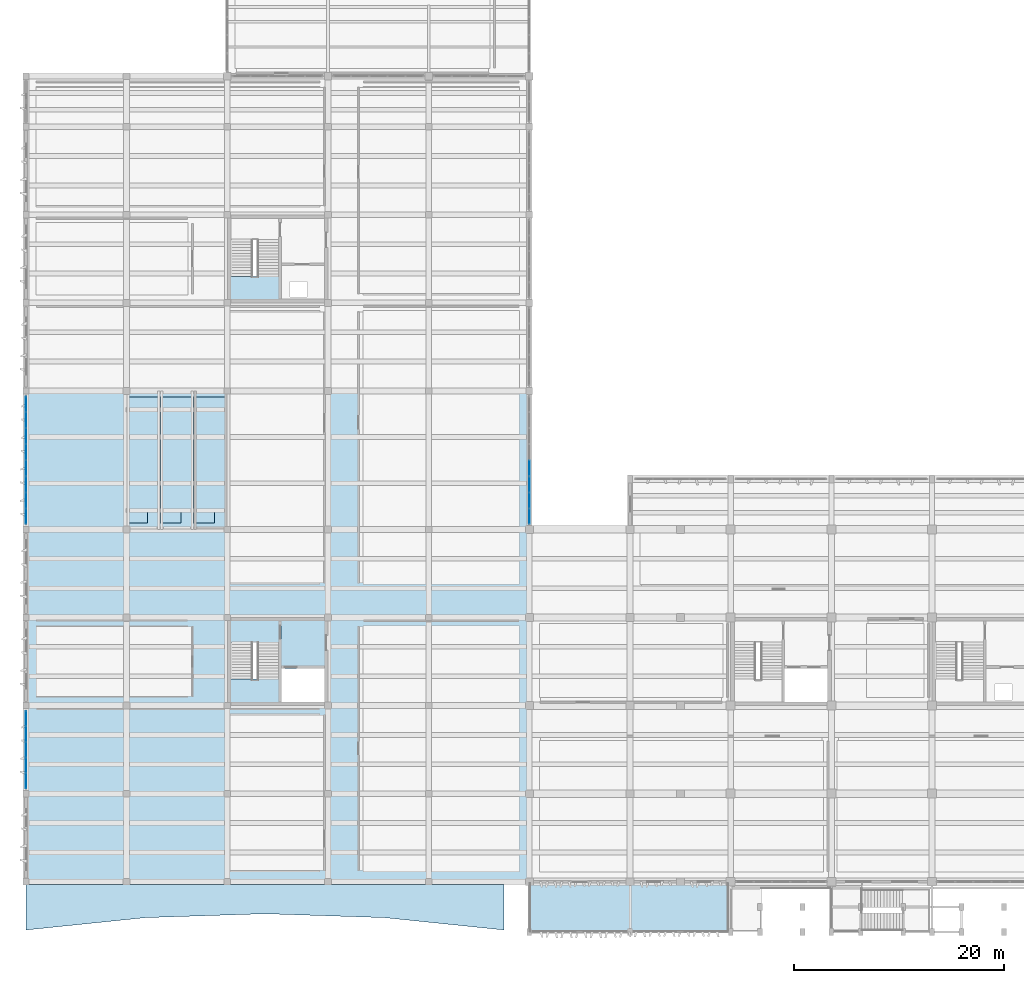
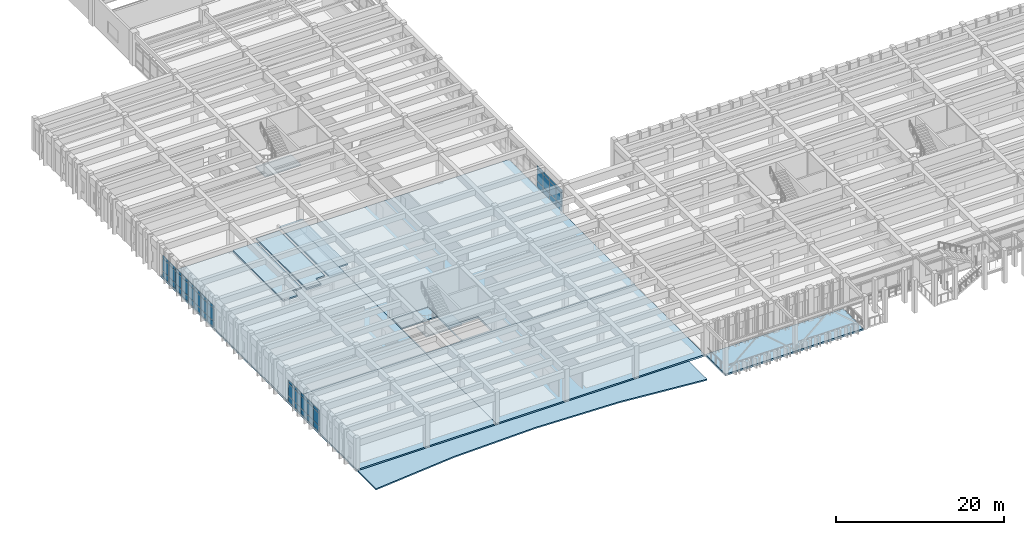
# One storey, part 45 of 86: 51 plates, 12 slabs, 5 elements without a shape of their own.
"""IFC4 building model written with IfcOpenShell, lengths in metres."""

from ifc_helpers import new_model, si_unit, direction, frame, origin, origin_2d, place, context, subcontext, project, spatial, polyline, rectangle, outline, extrude, material, layer, layer_set, type_object, element, aggregate, save


model = new_model("IFC4")

# Units and contexts
model_context = context("Model", 3, precision=1e-05, world=origin(), true_north=direction((0.0, 1.0)))
body_context = subcontext(model_context, "Body", "Model", "MODEL_VIEW")
ifc_project = project(units=[si_unit("LENGTHUNIT", "METRE"), si_unit("AREAUNIT", "SQUARE_METRE"), si_unit("VOLUMEUNIT", "CUBIC_METRE"), si_unit("PLANEANGLEUNIT", "RADIAN"), si_unit("MASSUNIT", "GRAM", prefix="KILO")], contexts=[model_context])

# Site, building, storey
site_placement = place(None, origin())
site = spatial("IfcSite", under=ifc_project, at=site_placement, CompositionType="ELEMENT")
building_placement = place(site_placement, origin())
building = spatial("IfcBuilding", under=site, at=building_placement, Name="Kolvemor Railside Polytechnic", CompositionType="ELEMENT")
storey_placement = place(building_placement, frame((0.0, 0.0, 5.39990234375)))
storey = spatial("IfcBuildingStorey", under=building, at=storey_placement, Name="L01", CompositionType="ELEMENT", Elevation=5.39990234375)

# Curtain wall, plates
ifc_material_1 = material(Name="Anodised marine aluminium and laminated low-E glass", Category="aluminium")
ifc_layer_1 = layer(ifc_material_1, 0.179931640625, Name="CW-UNIT-STD")
ifc_layer_set_1 = layer_set([ifc_layer_1], Name="Anodised marine aluminium and laminated low-E glass")
curtain_wall_type = type_object("IfcCurtainWallType", Name="CW-UNIT-STD", PredefinedType="USERDEFINED", material=ifc_layer_set_1)
curtain_wall_1_placement = place(storey_placement, origin())
curtain_wall_1 = element("IfcCurtainWall", 1, at=curtain_wall_1_placement, inside=storey, type_object=curtain_wall_type, Name="Curtain Wall L01-047", ObjectType="UNITISED CURTAIN WALL", PredefinedType="USERDEFINED")
ifc_material_2 = material(Name="Hurricane-laminated solar-control low-E glass", Category="glass")
ifc_layer_2 = layer(ifc_material_2, 0.02587890625, Name="CWP-GLZ-03")
ifc_layer_set_2 = layer_set([ifc_layer_2], Name="Hurricane-laminated solar-control low-E glass")
plate_type_1 = type_object("IfcPlateType", Name="CWP-GLZ-03", PredefinedType="CURTAIN_PANEL", material=ifc_layer_set_2)
plate_1_placement = place(storey_placement, frame((0.0, 20.36767578125, 0.06494140625), z_axis=(0.0, 0.0, 1.0), x_axis=(0.0, -1.0, 0.0)))
plate_1 = element("IfcPlate", 2, at=plate_1_placement, type_object=plate_type_1, Name="CW-STD panel 1.1", PredefinedType="CURTAIN_PANEL", context=body_context, shape_type="SweptSolid", body=[
    extrude(rectangle(XDim=1.39453125, YDim=0.02587890625, at=origin_2d()), origin(), (0.0, 0.0, 1.0), 0.802490234375),
])
plate_2_placement = place(storey_placement, frame((0.0, 20.36767578125, 0.9326171875), z_axis=(0.0, 0.0, 1.0), x_axis=(0.0, -1.0, 0.0)))
plate_2 = element("IfcPlate", 3, at=plate_2_placement, type_object=plate_type_1, Name="CW-STD panel 1.2", PredefinedType="CURTAIN_PANEL", context=body_context, shape_type="SweptSolid", body=[
    extrude(rectangle(XDim=1.39453125, YDim=0.02587890625, at=origin_2d()), origin(), (0.0, 0.0, 1.0), 1.764892578125),
])
plate_3_placement = place(storey_placement, frame((0.0, 20.36767578125, 2.7626953125), z_axis=(0.0, 0.0, 1.0), x_axis=(0.0, -1.0, 0.0)))
plate_3 = element("IfcPlate", 4, at=plate_3_placement, type_object=plate_type_1, Name="CW-STD panel 1.3", PredefinedType="CURTAIN_PANEL", context=body_context, shape_type="SweptSolid", body=[
    extrude(rectangle(XDim=1.39453125, YDim=0.02587890625, at=origin_2d()), origin(), (0.0, 0.0, 1.0), 0.452392578125),
])
plate_4_placement = place(storey_placement, frame((0.0, 18.89208984375, 0.06494140625), z_axis=(0.0, 0.0, 1.0), x_axis=(0.0, -1.0, 0.0)))
plate_4 = element("IfcPlate", 5, at=plate_4_placement, type_object=plate_type_1, Name="CW-STD panel 2.1", PredefinedType="CURTAIN_PANEL", context=body_context, shape_type="SweptSolid", body=[
    extrude(rectangle(XDim=1.427001953125, YDim=0.02587890625, at=origin_2d()), origin(), (0.0, 0.0, 1.0), 0.802490234375),
])
plate_5_placement = place(storey_placement, frame((0.0, 18.89208984375, 0.9326171875), z_axis=(0.0, 0.0, 1.0), x_axis=(0.0, -1.0, 0.0)))
plate_5 = element("IfcPlate", 6, at=plate_5_placement, type_object=plate_type_1, Name="CW-STD panel 2.2", PredefinedType="CURTAIN_PANEL", context=body_context, shape_type="SweptSolid", body=[
    extrude(rectangle(XDim=1.427001953125, YDim=0.02587890625, at=origin_2d()), origin(), (0.0, 0.0, 1.0), 1.764892578125),
])
plate_6_placement = place(storey_placement, frame((0.0, 18.89208984375, 2.7626953125), z_axis=(0.0, 0.0, 1.0), x_axis=(0.0, -1.0, 0.0)))
plate_6 = element("IfcPlate", 7, at=plate_6_placement, type_object=plate_type_1, Name="CW-STD panel 2.3", PredefinedType="CURTAIN_PANEL", context=body_context, shape_type="SweptSolid", body=[
    extrude(rectangle(XDim=1.427001953125, YDim=0.02587890625, at=origin_2d()), origin(), (0.0, 0.0, 1.0), 0.452392578125),
])
plate_7_placement = place(storey_placement, frame((0.0, 17.39990234375, 0.06494140625), z_axis=(0.0, 0.0, 1.0), x_axis=(0.0, -1.0, 0.0)))
plate_7 = element("IfcPlate", 8, at=plate_7_placement, type_object=plate_type_1, Name="CW-STD panel 3.1", PredefinedType="CURTAIN_PANEL", context=body_context, shape_type="SweptSolid", body=[
    extrude(rectangle(XDim=1.427001953125, YDim=0.02587890625, at=origin_2d()), origin(), (0.0, 0.0, 1.0), 0.802490234375),
])
plate_8_placement = place(storey_placement, frame((0.0, 17.39990234375, 0.9326171875), z_axis=(0.0, 0.0, 1.0), x_axis=(0.0, -1.0, 0.0)))
plate_8 = element("IfcPlate", 9, at=plate_8_placement, type_object=plate_type_1, Name="CW-STD panel 3.2", PredefinedType="CURTAIN_PANEL", context=body_context, shape_type="SweptSolid", body=[
    extrude(rectangle(XDim=1.427001953125, YDim=0.02587890625, at=origin_2d()), origin(), (0.0, 0.0, 1.0), 1.764892578125),
])
plate_9_placement = place(storey_placement, frame((0.0, 17.39990234375, 2.7626953125), z_axis=(0.0, 0.0, 1.0), x_axis=(0.0, -1.0, 0.0)))
plate_9 = element("IfcPlate", 10, at=plate_9_placement, type_object=plate_type_1, Name="CW-STD panel 3.3", PredefinedType="CURTAIN_PANEL", context=body_context, shape_type="SweptSolid", body=[
    extrude(rectangle(XDim=1.427001953125, YDim=0.02587890625, at=origin_2d()), origin(), (0.0, 0.0, 1.0), 0.452392578125),
])
plate_10_placement = place(storey_placement, frame((0.0, 15.907958984375, 0.06494140625), z_axis=(0.0, 0.0, 1.0), x_axis=(0.0, -1.0, 0.0)))
plate_10 = element("IfcPlate", 11, at=plate_10_placement, type_object=plate_type_1, Name="CW-STD panel 4.1", PredefinedType="CURTAIN_PANEL", context=body_context, shape_type="SweptSolid", body=[
    extrude(rectangle(XDim=1.427001953125, YDim=0.02587890625, at=origin_2d()), origin(), (0.0, 0.0, 1.0), 0.802490234375),
])
plate_11_placement = place(storey_placement, frame((0.0, 15.907958984375, 0.9326171875), z_axis=(0.0, 0.0, 1.0), x_axis=(0.0, -1.0, 0.0)))
plate_11 = element("IfcPlate", 12, at=plate_11_placement, type_object=plate_type_1, Name="CW-STD panel 4.2", PredefinedType="CURTAIN_PANEL", context=body_context, shape_type="SweptSolid", body=[
    extrude(rectangle(XDim=1.427001953125, YDim=0.02587890625, at=origin_2d()), origin(), (0.0, 0.0, 1.0), 1.764892578125),
])
plate_12_placement = place(storey_placement, frame((0.0, 15.907958984375, 2.7626953125), z_axis=(0.0, 0.0, 1.0), x_axis=(0.0, -1.0, 0.0)))
plate_12 = element("IfcPlate", 13, at=plate_12_placement, type_object=plate_type_1, Name="CW-STD panel 4.3", PredefinedType="CURTAIN_PANEL", context=body_context, shape_type="SweptSolid", body=[
    extrude(rectangle(XDim=1.427001953125, YDim=0.02587890625, at=origin_2d()), origin(), (0.0, 0.0, 1.0), 0.452392578125),
])
plate_13_placement = place(storey_placement, frame((0.0, 14.43212890625, 0.06494140625), z_axis=(0.0, 0.0, 1.0), x_axis=(0.0, -1.0, 0.0)))
plate_13 = element("IfcPlate", 14, at=plate_13_placement, type_object=plate_type_1, Name="CW-STD panel 5.1", PredefinedType="CURTAIN_PANEL", context=body_context, shape_type="SweptSolid", body=[
    extrude(rectangle(XDim=1.39453125, YDim=0.02587890625, at=origin_2d()), origin(), (0.0, 0.0, 1.0), 0.802490234375),
])
plate_14_placement = place(storey_placement, frame((0.0, 14.43212890625, 0.9326171875), z_axis=(0.0, 0.0, 1.0), x_axis=(0.0, -1.0, 0.0)))
plate_14 = element("IfcPlate", 15, at=plate_14_placement, type_object=plate_type_1, Name="CW-STD panel 5.2", PredefinedType="CURTAIN_PANEL", context=body_context, shape_type="SweptSolid", body=[
    extrude(rectangle(XDim=1.39453125, YDim=0.02587890625, at=origin_2d()), origin(), (0.0, 0.0, 1.0), 1.764892578125),
])
plate_15_placement = place(storey_placement, frame((0.0, 14.43212890625, 2.7626953125), z_axis=(0.0, 0.0, 1.0), x_axis=(0.0, -1.0, 0.0)))
plate_15 = element("IfcPlate", 16, at=plate_15_placement, type_object=plate_type_1, Name="CW-STD panel 5.3", PredefinedType="CURTAIN_PANEL", context=body_context, shape_type="SweptSolid", body=[
    extrude(rectangle(XDim=1.39453125, YDim=0.02587890625, at=origin_2d()), origin(), (0.0, 0.0, 1.0), 0.452392578125),
])
aggregate(curtain_wall_1, [plate_1, plate_2, plate_3, plate_4, plate_5, plate_6, plate_7, plate_8, plate_9, plate_10, plate_11, plate_12, plate_13, plate_14, plate_15])

curtain_wall_2_placement = place(storey_placement, origin())
curtain_wall_2 = element("IfcCurtainWall", 17, at=curtain_wall_2_placement, inside=storey, type_object=curtain_wall_type, Name="Curtain Wall L01-053", ObjectType="UNITISED CURTAIN WALL", PredefinedType="USERDEFINED")
ifc_material_3 = material(Name="Hurricane-laminated solar-control low-E glass", Category="glass")
ifc_layer_3 = layer(ifc_material_3, 0.031982421875, Name="CWP-GLZ-06")
ifc_layer_set_3 = layer_set([ifc_layer_3], Name="Hurricane-laminated solar-control low-E glass")
plate_type_2 = type_object("IfcPlateType", Name="CWP-GLZ-06", PredefinedType="CURTAIN_PANEL", material=ifc_layer_set_3)
plate_16_placement = place(storey_placement, frame((0.0, 50.347412109375, 0.06494140625), z_axis=(0.0, 0.0, 1.0), x_axis=(0.0, -1.0, 0.0)))
plate_16 = element("IfcPlate", 18, at=plate_16_placement, type_object=plate_type_2, Name="CW-STD panel 1.1", PredefinedType="CURTAIN_PANEL", context=body_context, shape_type="SweptSolid", body=[
    extrude(rectangle(XDim=1.43505859375, YDim=0.031982421875, at=origin_2d()), origin(), (0.0, 0.0, 1.0), 0.802490234375),
])
plate_17_placement = place(storey_placement, frame((0.0, 50.347412109375, 0.9326171875), z_axis=(0.0, 0.0, 1.0), x_axis=(0.0, -1.0, 0.0)))
plate_17 = element("IfcPlate", 19, at=plate_17_placement, type_object=plate_type_2, Name="CW-STD panel 1.2", PredefinedType="CURTAIN_PANEL", context=body_context, shape_type="SweptSolid", body=[
    extrude(rectangle(XDim=1.43505859375, YDim=0.031982421875, at=origin_2d()), origin(), (0.0, 0.0, 1.0), 1.764892578125),
])
plate_18_placement = place(storey_placement, frame((0.0, 50.347412109375, 2.7626953125), z_axis=(0.0, 0.0, 1.0), x_axis=(0.0, -1.0, 0.0)))
plate_18 = element("IfcPlate", 20, at=plate_18_placement, type_object=plate_type_2, Name="CW-STD panel 1.3", PredefinedType="CURTAIN_PANEL", context=body_context, shape_type="SweptSolid", body=[
    extrude(rectangle(XDim=1.43505859375, YDim=0.031982421875, at=origin_2d()), origin(), (0.0, 0.0, 1.0), 0.452392578125),
])
plate_19_placement = place(storey_placement, frame((0.0, 48.831298828125, 0.06494140625), z_axis=(0.0, 0.0, 1.0), x_axis=(0.0, -1.0, 0.0)))
plate_19 = element("IfcPlate", 21, at=plate_19_placement, type_object=plate_type_2, Name="CW-STD panel 2.1", PredefinedType="CURTAIN_PANEL", context=body_context, shape_type="SweptSolid", body=[
    extrude(rectangle(XDim=1.467529296875, YDim=0.031982421875, at=origin_2d()), origin(), (0.0, 0.0, 1.0), 0.802490234375),
])
plate_20_placement = place(storey_placement, frame((0.0, 48.831298828125, 0.9326171875), z_axis=(0.0, 0.0, 1.0), x_axis=(0.0, -1.0, 0.0)))
plate_20 = element("IfcPlate", 22, at=plate_20_placement, type_object=plate_type_2, Name="CW-STD panel 2.2", PredefinedType="CURTAIN_PANEL", context=body_context, shape_type="SweptSolid", body=[
    extrude(rectangle(XDim=1.467529296875, YDim=0.031982421875, at=origin_2d()), origin(), (0.0, 0.0, 1.0), 1.764892578125),
])
plate_21_placement = place(storey_placement, frame((0.0, 48.831298828125, 2.7626953125), z_axis=(0.0, 0.0, 1.0), x_axis=(0.0, -1.0, 0.0)))
plate_21 = element("IfcPlate", 23, at=plate_21_placement, type_object=plate_type_2, Name="CW-STD panel 2.3", PredefinedType="CURTAIN_PANEL", context=body_context, shape_type="SweptSolid", body=[
    extrude(rectangle(XDim=1.467529296875, YDim=0.031982421875, at=origin_2d()), origin(), (0.0, 0.0, 1.0), 0.452392578125),
])
plate_22_placement = place(storey_placement, frame((0.0, 47.298828125, 0.06494140625), z_axis=(0.0, 0.0, 1.0), x_axis=(0.0, -1.0, 0.0)))
plate_22 = element("IfcPlate", 24, at=plate_22_placement, type_object=plate_type_2, Name="CW-STD panel 3.1", PredefinedType="CURTAIN_PANEL", context=body_context, shape_type="SweptSolid", body=[
    extrude(rectangle(XDim=1.467529296875, YDim=0.031982421875, at=origin_2d()), origin(), (0.0, 0.0, 1.0), 0.802490234375),
])
plate_23_placement = place(storey_placement, frame((0.0, 47.298828125, 0.9326171875), z_axis=(0.0, 0.0, 1.0), x_axis=(0.0, -1.0, 0.0)))
plate_23 = element("IfcPlate", 25, at=plate_23_placement, type_object=plate_type_2, Name="CW-STD panel 3.2", PredefinedType="CURTAIN_PANEL", context=body_context, shape_type="SweptSolid", body=[
    extrude(rectangle(XDim=1.467529296875, YDim=0.031982421875, at=origin_2d()), origin(), (0.0, 0.0, 1.0), 1.764892578125),
])
plate_24_placement = place(storey_placement, frame((0.0, 47.298828125, 2.7626953125), z_axis=(0.0, 0.0, 1.0), x_axis=(0.0, -1.0, 0.0)))
plate_24 = element("IfcPlate", 26, at=plate_24_placement, type_object=plate_type_2, Name="CW-STD panel 3.3", PredefinedType="CURTAIN_PANEL", context=body_context, shape_type="SweptSolid", body=[
    extrude(rectangle(XDim=1.467529296875, YDim=0.031982421875, at=origin_2d()), origin(), (0.0, 0.0, 1.0), 0.452392578125),
])
plate_25_placement = place(storey_placement, frame((0.0, 45.766357421875, 0.06494140625), z_axis=(0.0, 0.0, 1.0), x_axis=(0.0, -1.0, 0.0)))
plate_25 = element("IfcPlate", 27, at=plate_25_placement, type_object=plate_type_2, Name="CW-STD panel 4.1", PredefinedType="CURTAIN_PANEL", context=body_context, shape_type="SweptSolid", body=[
    extrude(rectangle(XDim=1.467529296875, YDim=0.031982421875, at=origin_2d()), origin(), (0.0, 0.0, 1.0), 0.802490234375),
])
plate_26_placement = place(storey_placement, frame((0.0, 45.766357421875, 0.9326171875), z_axis=(0.0, 0.0, 1.0), x_axis=(0.0, -1.0, 0.0)))
plate_26 = element("IfcPlate", 28, at=plate_26_placement, type_object=plate_type_2, Name="CW-STD panel 4.2", PredefinedType="CURTAIN_PANEL", context=body_context, shape_type="SweptSolid", body=[
    extrude(rectangle(XDim=1.467529296875, YDim=0.031982421875, at=origin_2d()), origin(), (0.0, 0.0, 1.0), 1.764892578125),
])
plate_27_placement = place(storey_placement, frame((0.0, 45.766357421875, 2.7626953125), z_axis=(0.0, 0.0, 1.0), x_axis=(0.0, -1.0, 0.0)))
plate_27 = element("IfcPlate", 29, at=plate_27_placement, type_object=plate_type_2, Name="CW-STD panel 4.3", PredefinedType="CURTAIN_PANEL", context=body_context, shape_type="SweptSolid", body=[
    extrude(rectangle(XDim=1.467529296875, YDim=0.031982421875, at=origin_2d()), origin(), (0.0, 0.0, 1.0), 0.452392578125),
])
plate_28_placement = place(storey_placement, frame((0.0, 44.233642578125, 0.06494140625), z_axis=(0.0, 0.0, 1.0), x_axis=(0.0, -1.0, 0.0)))
plate_28 = element("IfcPlate", 30, at=plate_28_placement, type_object=plate_type_2, Name="CW-STD panel 5.1", PredefinedType="CURTAIN_PANEL", context=body_context, shape_type="SweptSolid", body=[
    extrude(rectangle(XDim=1.467529296875, YDim=0.031982421875, at=origin_2d()), origin(), (0.0, 0.0, 1.0), 0.802490234375),
])
plate_29_placement = place(storey_placement, frame((0.0, 44.233642578125, 0.9326171875), z_axis=(0.0, 0.0, 1.0), x_axis=(0.0, -1.0, 0.0)))
plate_29 = element("IfcPlate", 31, at=plate_29_placement, type_object=plate_type_2, Name="CW-STD panel 5.2", PredefinedType="CURTAIN_PANEL", context=body_context, shape_type="SweptSolid", body=[
    extrude(rectangle(XDim=1.467529296875, YDim=0.031982421875, at=origin_2d()), origin(), (0.0, 0.0, 1.0), 1.764892578125),
])
plate_30_placement = place(storey_placement, frame((0.0, 44.233642578125, 2.7626953125), z_axis=(0.0, 0.0, 1.0), x_axis=(0.0, -1.0, 0.0)))
plate_30 = element("IfcPlate", 32, at=plate_30_placement, type_object=plate_type_2, Name="CW-STD panel 5.3", PredefinedType="CURTAIN_PANEL", context=body_context, shape_type="SweptSolid", body=[
    extrude(rectangle(XDim=1.467529296875, YDim=0.031982421875, at=origin_2d()), origin(), (0.0, 0.0, 1.0), 0.452392578125),
])
plate_31_placement = place(storey_placement, frame((0.0, 42.701171875, 0.06494140625), z_axis=(0.0, 0.0, 1.0), x_axis=(0.0, -1.0, 0.0)))
plate_31 = element("IfcPlate", 33, at=plate_31_placement, type_object=plate_type_2, Name="CW-STD panel 6.1", PredefinedType="CURTAIN_PANEL", context=body_context, shape_type="SweptSolid", body=[
    extrude(rectangle(XDim=1.467529296875, YDim=0.031982421875, at=origin_2d()), origin(), (0.0, 0.0, 1.0), 0.802490234375),
])
plate_32_placement = place(storey_placement, frame((0.0, 42.701171875, 0.9326171875), z_axis=(0.0, 0.0, 1.0), x_axis=(0.0, -1.0, 0.0)))
plate_32 = element("IfcPlate", 34, at=plate_32_placement, type_object=plate_type_2, Name="CW-STD panel 6.2", PredefinedType="CURTAIN_PANEL", context=body_context, shape_type="SweptSolid", body=[
    extrude(rectangle(XDim=1.467529296875, YDim=0.031982421875, at=origin_2d()), origin(), (0.0, 0.0, 1.0), 1.764892578125),
])
plate_33_placement = place(storey_placement, frame((0.0, 42.701171875, 2.7626953125), z_axis=(0.0, 0.0, 1.0), x_axis=(0.0, -1.0, 0.0)))
plate_33 = element("IfcPlate", 35, at=plate_33_placement, type_object=plate_type_2, Name="CW-STD panel 6.3", PredefinedType="CURTAIN_PANEL", context=body_context, shape_type="SweptSolid", body=[
    extrude(rectangle(XDim=1.467529296875, YDim=0.031982421875, at=origin_2d()), origin(), (0.0, 0.0, 1.0), 0.452392578125),
])
plate_34_placement = place(storey_placement, frame((0.0, 41.168701171875, 0.06494140625), z_axis=(0.0, 0.0, 1.0), x_axis=(0.0, -1.0, 0.0)))
plate_34 = element("IfcPlate", 36, at=plate_34_placement, type_object=plate_type_2, Name="CW-STD panel 7.1", PredefinedType="CURTAIN_PANEL", context=body_context, shape_type="SweptSolid", body=[
    extrude(rectangle(XDim=1.467529296875, YDim=0.031982421875, at=origin_2d()), origin(), (0.0, 0.0, 1.0), 0.802490234375),
])
plate_35_placement = place(storey_placement, frame((0.0, 41.168701171875, 0.9326171875), z_axis=(0.0, 0.0, 1.0), x_axis=(0.0, -1.0, 0.0)))
plate_35 = element("IfcPlate", 37, at=plate_35_placement, type_object=plate_type_2, Name="CW-STD panel 7.2", PredefinedType="CURTAIN_PANEL", context=body_context, shape_type="SweptSolid", body=[
    extrude(rectangle(XDim=1.467529296875, YDim=0.031982421875, at=origin_2d()), origin(), (0.0, 0.0, 1.0), 1.764892578125),
])
plate_36_placement = place(storey_placement, frame((0.0, 41.168701171875, 2.7626953125), z_axis=(0.0, 0.0, 1.0), x_axis=(0.0, -1.0, 0.0)))
plate_36 = element("IfcPlate", 38, at=plate_36_placement, type_object=plate_type_2, Name="CW-STD panel 7.3", PredefinedType="CURTAIN_PANEL", context=body_context, shape_type="SweptSolid", body=[
    extrude(rectangle(XDim=1.467529296875, YDim=0.031982421875, at=origin_2d()), origin(), (0.0, 0.0, 1.0), 0.452392578125),
])
plate_37_placement = place(storey_placement, frame((0.0, 39.652587890625, 0.06494140625), z_axis=(0.0, 0.0, 1.0), x_axis=(0.0, -1.0, 0.0)))
plate_37 = element("IfcPlate", 39, at=plate_37_placement, type_object=plate_type_2, Name="CW-STD panel 8.1", PredefinedType="CURTAIN_PANEL", context=body_context, shape_type="SweptSolid", body=[
    extrude(rectangle(XDim=1.43505859375, YDim=0.031982421875, at=origin_2d()), origin(), (0.0, 0.0, 1.0), 0.802490234375),
])
plate_38_placement = place(storey_placement, frame((0.0, 39.652587890625, 0.9326171875), z_axis=(0.0, 0.0, 1.0), x_axis=(0.0, -1.0, 0.0)))
plate_38 = element("IfcPlate", 40, at=plate_38_placement, type_object=plate_type_2, Name="CW-STD panel 8.2", PredefinedType="CURTAIN_PANEL", context=body_context, shape_type="SweptSolid", body=[
    extrude(rectangle(XDim=1.43505859375, YDim=0.031982421875, at=origin_2d()), origin(), (0.0, 0.0, 1.0), 1.764892578125),
])
plate_39_placement = place(storey_placement, frame((0.0, 39.652587890625, 2.7626953125), z_axis=(0.0, 0.0, 1.0), x_axis=(0.0, -1.0, 0.0)))
plate_39 = element("IfcPlate", 41, at=plate_39_placement, type_object=plate_type_2, Name="CW-STD panel 8.3", PredefinedType="CURTAIN_PANEL", context=body_context, shape_type="SweptSolid", body=[
    extrude(rectangle(XDim=1.43505859375, YDim=0.031982421875, at=origin_2d()), origin(), (0.0, 0.0, 1.0), 0.452392578125),
])
aggregate(curtain_wall_2, [plate_16, plate_17, plate_18, plate_19, plate_20, plate_21, plate_22, plate_23, plate_24, plate_25, plate_26, plate_27, plate_28, plate_29, plate_30, plate_31, plate_32, plate_33, plate_34, plate_35, plate_36, plate_37, plate_38, plate_39])

curtain_wall_3_placement = place(storey_placement, origin())
curtain_wall_3 = element("IfcCurtainWall", 42, at=curtain_wall_3_placement, inside=storey, type_object=curtain_wall_type, Name="Curtain Wall L01-056", ObjectType="UNITISED CURTAIN WALL", PredefinedType="USERDEFINED")
ifc_material_4 = material(Name="Hurricane-laminated solar-control low-E glass", Category="glass")
ifc_layer_4 = layer(ifc_material_4, 0.035888671875, Name="CWP-GLZ-08")
ifc_layer_set_4 = layer_set([ifc_layer_4], Name="Hurricane-laminated solar-control low-E glass")
plate_type_3 = type_object("IfcPlateType", Name="CWP-GLZ-08", PredefinedType="CURTAIN_PANEL", material=ifc_layer_set_4)
plate_40_placement = place(storey_placement, frame((48.0, 39.652587890625, 0.06494140625), z_axis=(0.0, 0.0, 1.0), x_axis=(0.0, 1.0, 0.0)))
plate_40 = element("IfcPlate", 43, at=plate_40_placement, type_object=plate_type_3, Name="CW-STD panel 1.1", PredefinedType="CURTAIN_PANEL", context=body_context, shape_type="SweptSolid", body=[
    extrude(rectangle(XDim=1.43505859375, YDim=0.035888671875, at=origin_2d()), origin(), (0.0, 0.0, 1.0), 0.802490234375),
])
plate_41_placement = place(storey_placement, frame((48.0, 39.652587890625, 0.9326171875), z_axis=(0.0, 0.0, 1.0), x_axis=(0.0, 1.0, 0.0)))
plate_41 = element("IfcPlate", 44, at=plate_41_placement, type_object=plate_type_3, Name="CW-STD panel 1.2", PredefinedType="CURTAIN_PANEL", context=body_context, shape_type="SweptSolid", body=[
    extrude(rectangle(XDim=1.43505859375, YDim=0.035888671875, at=origin_2d()), origin(), (0.0, 0.0, 1.0), 1.764892578125),
])
plate_42_placement = place(storey_placement, frame((48.0, 39.652587890625, 2.7626953125), z_axis=(0.0, 0.0, 1.0), x_axis=(0.0, 1.0, 0.0)))
plate_42 = element("IfcPlate", 45, at=plate_42_placement, type_object=plate_type_3, Name="CW-STD panel 1.3", PredefinedType="CURTAIN_PANEL", context=body_context, shape_type="SweptSolid", body=[
    extrude(rectangle(XDim=1.43505859375, YDim=0.035888671875, at=origin_2d()), origin(), (0.0, 0.0, 1.0), 0.452392578125),
])
plate_43_placement = place(storey_placement, frame((48.0, 41.168701171875, 0.06494140625), z_axis=(0.0, 0.0, 1.0), x_axis=(0.0, 1.0, 0.0)))
plate_43 = element("IfcPlate", 46, at=plate_43_placement, type_object=plate_type_3, Name="CW-STD panel 2.1", PredefinedType="CURTAIN_PANEL", context=body_context, shape_type="SweptSolid", body=[
    extrude(rectangle(XDim=1.467529296875, YDim=0.035888671875, at=origin_2d()), origin(), (0.0, 0.0, 1.0), 0.802490234375),
])
plate_44_placement = place(storey_placement, frame((48.0, 41.168701171875, 0.9326171875), z_axis=(0.0, 0.0, 1.0), x_axis=(0.0, 1.0, 0.0)))
plate_44 = element("IfcPlate", 47, at=plate_44_placement, type_object=plate_type_3, Name="CW-STD panel 2.2", PredefinedType="CURTAIN_PANEL", context=body_context, shape_type="SweptSolid", body=[
    extrude(rectangle(XDim=1.467529296875, YDim=0.035888671875, at=origin_2d()), origin(), (0.0, 0.0, 1.0), 1.764892578125),
])
plate_45_placement = place(storey_placement, frame((48.0, 41.168701171875, 2.7626953125), z_axis=(0.0, 0.0, 1.0), x_axis=(0.0, 1.0, 0.0)))
plate_45 = element("IfcPlate", 48, at=plate_45_placement, type_object=plate_type_3, Name="CW-STD panel 2.3", PredefinedType="CURTAIN_PANEL", context=body_context, shape_type="SweptSolid", body=[
    extrude(rectangle(XDim=1.467529296875, YDim=0.035888671875, at=origin_2d()), origin(), (0.0, 0.0, 1.0), 0.452392578125),
])
plate_46_placement = place(storey_placement, frame((48.0, 42.701171875, 0.06494140625), z_axis=(0.0, 0.0, 1.0), x_axis=(0.0, 1.0, 0.0)))
plate_46 = element("IfcPlate", 49, at=plate_46_placement, type_object=plate_type_3, Name="CW-STD panel 3.1", PredefinedType="CURTAIN_PANEL", context=body_context, shape_type="SweptSolid", body=[
    extrude(rectangle(XDim=1.467529296875, YDim=0.035888671875, at=origin_2d()), origin(), (0.0, 0.0, 1.0), 0.802490234375),
])
plate_47_placement = place(storey_placement, frame((48.0, 42.701171875, 0.9326171875), z_axis=(0.0, 0.0, 1.0), x_axis=(0.0, 1.0, 0.0)))
plate_47 = element("IfcPlate", 50, at=plate_47_placement, type_object=plate_type_3, Name="CW-STD panel 3.2", PredefinedType="CURTAIN_PANEL", context=body_context, shape_type="SweptSolid", body=[
    extrude(rectangle(XDim=1.467529296875, YDim=0.035888671875, at=origin_2d()), origin(), (0.0, 0.0, 1.0), 1.764892578125),
])
plate_48_placement = place(storey_placement, frame((48.0, 42.701171875, 2.7626953125), z_axis=(0.0, 0.0, 1.0), x_axis=(0.0, 1.0, 0.0)))
plate_48 = element("IfcPlate", 51, at=plate_48_placement, type_object=plate_type_3, Name="CW-STD panel 3.3", PredefinedType="CURTAIN_PANEL", context=body_context, shape_type="SweptSolid", body=[
    extrude(rectangle(XDim=1.467529296875, YDim=0.035888671875, at=origin_2d()), origin(), (0.0, 0.0, 1.0), 0.452392578125),
])
plate_49_placement = place(storey_placement, frame((48.0, 44.233642578125, 0.06494140625), z_axis=(0.0, 0.0, 1.0), x_axis=(0.0, 1.0, 0.0)))
plate_49 = element("IfcPlate", 52, at=plate_49_placement, type_object=plate_type_3, Name="CW-STD panel 4.1", PredefinedType="CURTAIN_PANEL", context=body_context, shape_type="SweptSolid", body=[
    extrude(rectangle(XDim=1.467529296875, YDim=0.035888671875, at=origin_2d()), origin(), (0.0, 0.0, 1.0), 0.802490234375),
])
plate_50_placement = place(storey_placement, frame((48.0, 44.233642578125, 0.9326171875), z_axis=(0.0, 0.0, 1.0), x_axis=(0.0, 1.0, 0.0)))
plate_50 = element("IfcPlate", 53, at=plate_50_placement, type_object=plate_type_3, Name="CW-STD panel 4.2", PredefinedType="CURTAIN_PANEL", context=body_context, shape_type="SweptSolid", body=[
    extrude(rectangle(XDim=1.467529296875, YDim=0.035888671875, at=origin_2d()), origin(), (0.0, 0.0, 1.0), 1.764892578125),
])
plate_51_placement = place(storey_placement, frame((48.0, 44.233642578125, 2.7626953125), z_axis=(0.0, 0.0, 1.0), x_axis=(0.0, 1.0, 0.0)))
plate_51 = element("IfcPlate", 54, at=plate_51_placement, type_object=plate_type_3, Name="CW-STD panel 4.3", PredefinedType="CURTAIN_PANEL", context=body_context, shape_type="SweptSolid", body=[
    extrude(rectangle(XDim=1.467529296875, YDim=0.035888671875, at=origin_2d()), origin(), (0.0, 0.0, 1.0), 0.452392578125),
])
aggregate(curtain_wall_3, [plate_40, plate_41, plate_42, plate_43, plate_44, plate_45, plate_46, plate_47, plate_48, plate_49, plate_50, plate_51])

# Slabs
ifc_material_5 = material(Name="Concrete C40/50", Category="concrete")
ifc_layer_5 = layer(ifc_material_5, 0.18994140625, Name="SLB-CAN-190")
ifc_layer_set_5 = layer_set([ifc_layer_5], Name="Concrete C40/50")
slab_type_1 = type_object("IfcSlabType", Name="SLB-CAN-190", PredefinedType="ROOF", material=ifc_layer_set_5)
slab_1_placement = place(storey_placement, frame((0.0, 0.0, -0.18994140625)))
element("IfcSlab", 55, at=slab_1_placement, inside=storey, type_object=slab_type_1, Name="Parametric Curved Entrance Canopy W", PredefinedType="ROOF", context=body_context, shape_type="SweptSolid", body=[
    extrude(outline(polyline([(0.0, 0.198974609375), (11.39990234375, 1.376953125), (22.800048828125, 1.75), (34.199951171875, 1.376953125), (45.60009765625, 0.198974609375), (45.60009765625, 4.550048828125), (0.0, 4.550048828125), (0.0, 0.198974609375)])), origin(), (0.0, 0.0, 1.0), 0.18994140625),
])
ifc_material_6 = material(Name="Concrete C40/50", Category="concrete")
ifc_layer_6 = layer(ifc_material_6, 0.199951171875, Name="SLB-LND-200")
ifc_layer_set_6 = layer_set([ifc_layer_6], Name="Concrete C40/50")
slab_type_2 = type_object("IfcSlabType", Name="SLB-LND-200", PredefinedType="LANDING", material=ifc_layer_set_6)
slab_2_placement = place(storey_placement, frame((0.0, 0.0, -0.199951171875)))
element("IfcSlab", 56, at=slab_2_placement, inside=storey, type_object=slab_type_2, Name="ST-4 Floor Landing L01", PredefinedType="LANDING", context=body_context, shape_type="SweptSolid", body=[
    extrude(outline(polyline([(19.360107421875, 27.60009765625), (24.2900390625, 27.60009765625), (24.2900390625, 29.840087890625), (19.360107421875, 29.840087890625), (19.360107421875, 27.60009765625)])), origin(), (0.0, 0.0, 1.0), 0.199951171875),
])

# Stair, slab
ifc_material_7 = material(Name="Concrete C40/50", Category="concrete")
stair_type = type_object("IfcStairType", Name="STR-CORE-480", PredefinedType="HALF_TURN_STAIR", material=ifc_material_7)
stair_1_placement = place(storey_placement, origin())
stair_1 = element("IfcStair", 57, at=stair_1_placement, inside=storey, type_object=stair_type, Name="Core Stair ST-4 (L01 to L02)", PredefinedType="HALF_TURN_STAIR")
slab_3_placement = place(storey_placement, frame((0.0, 0.0, 2.2001953125)))
slab_3 = element("IfcSlab", 58, at=slab_3_placement, type_object=slab_type_2, Name="ST-4-L01 landing 1", PredefinedType="LANDING", context=body_context, shape_type="SweptSolid", body=[
    extrude(outline(polyline([(19.35009765625, 21.75), (24.300048828125, 21.75), (24.300048828125, 24.125), (19.35009765625, 24.125), (19.35009765625, 21.75)])), origin(), (0.0, 0.0, 1.0), 0.199951171875),
])
aggregate(stair_1, [slab_3])

stair_2_placement = place(storey_placement, origin())
stair_2 = element("IfcStair", 59, at=stair_2_placement, inside=storey, type_object=stair_type, Name="Core Stair ST-5 (L01 to L02)", PredefinedType="HALF_TURN_STAIR")
slab_4_placement = place(storey_placement, frame((0.0, 0.0, 2.2001953125)))
slab_4 = element("IfcSlab", 60, at=slab_4_placement, type_object=slab_type_2, Name="ST-5-L01 landing 1", PredefinedType="LANDING", context=body_context, shape_type="SweptSolid", body=[
    extrude(outline(polyline([(19.35009765625, 60.14990234375), (24.300048828125, 60.14990234375), (24.300048828125, 62.52490234375), (19.35009765625, 62.52490234375), (19.35009765625, 60.14990234375)])), origin(), (0.0, 0.0, 1.0), 0.199951171875),
])
aggregate(stair_2, [slab_4])

# Slabs
ifc_material_8 = material(Name="Concrete C40/50", Category="concrete")
ifc_layer_7 = layer(ifc_material_8, 0.280029296875, Name="SLB-POD-L01")
ifc_layer_set_7 = layer_set([ifc_layer_7], Name="Concrete C40/50")
slab_type_3 = type_object("IfcSlabType", Name="SLB-POD-L01", PredefinedType="FLOOR", material=ifc_layer_set_7)
slab_5_placement = place(storey_placement, frame((0.0, 0.0, -0.27978515625)))
element("IfcSlab", 61, at=slab_5_placement, inside=storey, type_object=slab_type_3, Name="Lecture Wing L01 Slab L01-45", PredefinedType="FLOOR", context=body_context, shape_type="SweptSolid", body=[
    extrude(outline(polyline([(0.0, 4.800048828125), (19.199951171875, 4.800048828125), (19.199951171875, 21.60009765625), (0.0, 21.60009765625), (0.0, 4.800048828125)])), origin(), (0.0, 0.0, 1.0), 0.27978515625),
])
slab_6_placement = place(storey_placement, frame((0.0, 0.0, -0.27978515625)))
element("IfcSlab", 62, at=slab_6_placement, inside=storey, type_object=slab_type_3, Name="Lecture Wing L01 Slab L01-46", PredefinedType="FLOOR", context=body_context, shape_type="SweptSolid", body=[
    extrude(outline(polyline([(0.0, 21.60009765625), (19.199951171875, 21.60009765625), (19.199951171875, 51.60009765625), (0.0, 51.60009765625), (0.0, 21.60009765625)])), origin(), (0.0, 0.0, 1.0), 0.27978515625),
])
slab_7_placement = place(storey_placement, frame((0.0, 0.0, -0.27978515625)))
element("IfcSlab", 63, at=slab_7_placement, inside=storey, type_object=slab_type_3, Name="Lecture Wing L01 Slab L01-48", PredefinedType="FLOOR", context=body_context, shape_type="SweptSolid", body=[
    extrude(outline(polyline([(19.199951171875, 4.800048828125), (47.925048828125, 4.800048828125), (47.925048828125, 21.60009765625), (19.199951171875, 21.60009765625), (19.199951171875, 4.800048828125)])), origin(), (0.0, 0.0, 1.0), 0.27978515625),
])
slab_8_placement = place(storey_placement, frame((0.0, 0.0, -0.27978515625)))
element("IfcSlab", 64, at=slab_8_placement, inside=storey, type_object=slab_type_3, Name="Lecture Wing L01 Slab L01-49", PredefinedType="FLOOR", context=body_context, shape_type="SweptSolid", body=[
    extrude(outline(polyline([(19.199951171875, 21.60009765625), (48.0, 21.60009765625), (48.0, 51.60009765625), (19.199951171875, 51.60009765625), (19.199951171875, 21.60009765625)]), holes=[polyline([(19.340087890625, 21.739990234375), (24.31005859375, 21.739990234375), (24.31005859375, 29.860107421875), (19.340087890625, 29.860107421875), (19.340087890625, 21.739990234375)]), polyline([(24.35009765625, 21.949951171875), (28.449951171875, 21.949951171875), (28.449951171875, 25.14990234375), (24.35009765625, 25.14990234375), (24.35009765625, 21.949951171875)])]), origin(), (0.0, 0.0, 1.0), 0.27978515625),
])
ifc_material_9 = material(Name="Concrete C40/50", Category="concrete")
ifc_layer_8 = layer(ifc_material_9, 0.25, Name="SLB-TER-250")
ifc_layer_set_8 = layer_set([ifc_layer_8], Name="Concrete C40/50")
slab_type_4 = type_object("IfcSlabType", Name="SLB-TER-250", PredefinedType="FLOOR", material=ifc_layer_set_8)
slab_9_placement = place(storey_placement, frame((0.0, 0.0, -0.25)))
element("IfcSlab", 65, at=slab_9_placement, inside=storey, type_object=slab_type_4, Name="Shifted West Loggia Terrace L01 L01-87", PredefinedType="FLOOR", context=body_context, shape_type="SweptSolid", body=[
    extrude(outline(polyline([(48.0, 0.0), (67.0, 0.0), (67.0, 4.800048828125), (48.0, 4.800048828125), (48.0, 0.0)])), origin(), (0.0, 0.0, 1.0), 0.25),
])
ifc_material_10 = material(Name="Concrete C40/50", Category="concrete")
ifc_layer_9 = layer(ifc_material_10, 0.199951171875, Name="SLB-TIER-RC")
ifc_layer_set_9 = layer_set([ifc_layer_9], Name="Concrete C40/50")
slab_type_5 = type_object("IfcSlabType", Name="SLB-TIER-RC", PredefinedType="FLOOR", material=ifc_layer_set_9)
slab_10_placement = place(storey_placement, frame((0.0, 0.0, 0.400146484375)))
element("IfcSlab", 66, at=slab_10_placement, inside=storey, type_object=slab_type_5, Name="Seating Tier Slab LT4-T1", PredefinedType="FLOOR", context=body_context, shape_type="SweptSolid", body=[
    extrude(outline(polyline([(9.60009765625, 39.0), (11.60009765625, 39.0), (11.60009765625, 40.199951171875), (12.800048828125, 40.199951171875), (12.800048828125, 51.0), (9.60009765625, 51.0), (9.60009765625, 39.0)])), origin(), (0.0, 0.0, 1.0), 0.199951171875),
])
slab_11_placement = place(storey_placement, frame((0.0, 0.0, 1.0)))
element("IfcSlab", 67, at=slab_11_placement, inside=storey, type_object=slab_type_5, Name="Seating Tier Slab LT4-T2", PredefinedType="FLOOR", context=body_context, shape_type="SweptSolid", body=[
    extrude(outline(polyline([(12.800048828125, 39.0), (14.800048828125, 39.0), (14.800048828125, 40.199951171875), (16.0, 40.199951171875), (16.0, 51.0), (12.800048828125, 51.0), (12.800048828125, 39.0)])), origin(), (0.0, 0.0, 1.0), 0.2001953125),
])
slab_12_placement = place(storey_placement, frame((0.0, 0.0, 1.60009765625)))
element("IfcSlab", 68, at=slab_12_placement, inside=storey, type_object=slab_type_5, Name="Seating Tier Slab LT4-T3", PredefinedType="FLOOR", context=body_context, shape_type="SweptSolid", body=[
    extrude(outline(polyline([(16.0, 39.0), (18.0, 39.0), (18.0, 40.199951171875), (19.199951171875, 40.199951171875), (19.199951171875, 51.0), (16.0, 51.0), (16.0, 39.0)])), origin(), (0.0, 0.0, 1.0), 0.199951171875),
])

save(model, "model.ifc")
